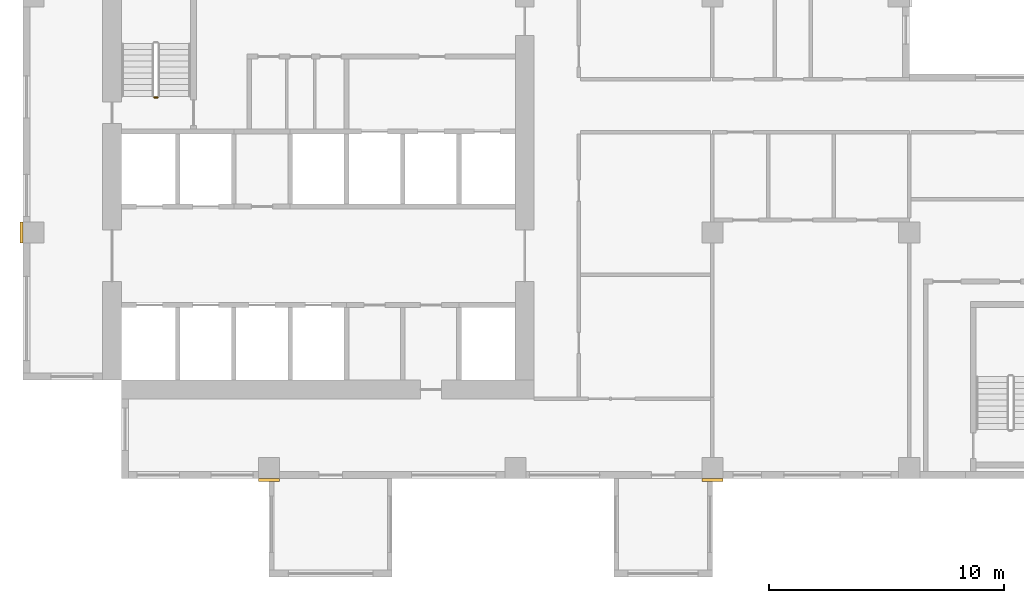
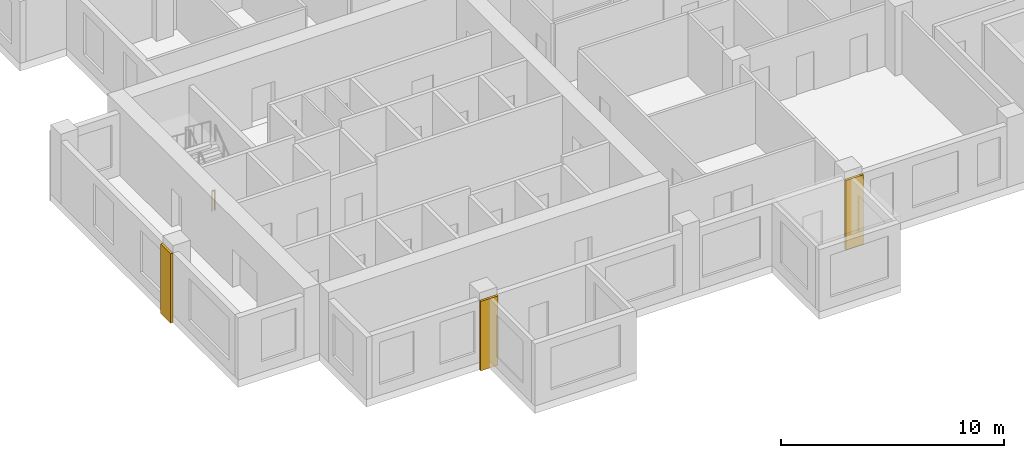
# One storey, part 9 of 12: 3 coverings, 1 railing.
"""IFC4 building model written with IfcOpenShell, lengths in metres."""

from ifc_helpers import new_model, si_unit, direction, frame, origin, origin_2d, place, context, subcontext, project, spatial, rectangle, circle, extrude, source, transform, mapped, material, type_object, element, save


model = new_model("IFC4")

# Units and contexts
model_context = context("Model", 3, precision=1e-05, world=origin(), true_north=direction((0.0, 1.0)))
body_context = subcontext(model_context, "Body", "Model", "MODEL_VIEW")
ifc_project = project(units=[si_unit("LENGTHUNIT", "METRE"), si_unit("AREAUNIT", "SQUARE_METRE"), si_unit("VOLUMEUNIT", "CUBIC_METRE"), si_unit("PLANEANGLEUNIT", "RADIAN"), si_unit("MASSUNIT", "GRAM", prefix="KILO")], contexts=[model_context])

# Site, building, storey
site_placement = place(None, origin())
site = spatial("IfcSite", under=ifc_project, at=site_placement, CompositionType="ELEMENT")
building_placement = place(site_placement, origin())
building = spatial("IfcBuilding", under=site, at=building_placement, Name="Aurelian Terraces", CompositionType="ELEMENT")
storey_placement = place(building_placement, frame((0.0, 0.0, 196.8)))
storey = spatial("IfcBuildingStorey", under=building, at=storey_placement, Name="L43", CompositionType="ELEMENT", Elevation=196.8)

# Coverings
ifc_material_1 = material(Name="Terracotta rainscreen cladding relief", Category="masonry")
covering_type = type_object("IfcCoveringType", Name="BAGUETTE-TC", PredefinedType="CLADDING", material=ifc_material_1)
shared_shape_1 = source(origin(), body_context, "Body", "SweptSolid", [
    extrude(rectangle(XDim=0.9, YDim=0.12, at=origin_2d()), origin(), (0.0, 0.0, 1.0), 3.8),
])
for number, where, z_axis, x_axis, name in (
    (1, (10.5, -0.06, -0.4), (0.0, 0.0, 1.0), (1.0, 0.0, 0.0), "BAGUETTE pier L43 1"),
    (2, (29.4, -0.06, -0.4), (0.0, 0.0, 1.0), (1.0, 0.0, 0.0), "BAGUETTE pier L43 2"),
):
    element("IfcCovering", number, at=place(storey_placement, frame(where, z_axis=z_axis, x_axis=x_axis)), inside=storey, type_object=covering_type, Name=name, PredefinedType="CLADDING", context=body_context, shape_type="MappedRepresentation", body=[
        mapped(shared_shape_1, transform((0.0, 0.0, 0.0), scale=1.0)),
    ])
shared_shape_2 = source(origin(), body_context, "Body", "SweptSolid", [
    extrude(rectangle(XDim=0.12, YDim=0.9, at=origin_2d()), origin(), (0.0, 0.0, 1.0), 3.8),
])
covering_placement = place(storey_placement, frame((-0.06, 10.5, -0.4), z_axis=(0.0, 0.0, 1.0), x_axis=(1.0, 0.0, 0.0)))
element("IfcCovering", 3, at=covering_placement, inside=storey, type_object=covering_type, Name="BAGUETTE pier L43 4", PredefinedType="CLADDING", context=body_context, shape_type="MappedRepresentation", body=[
    mapped(shared_shape_2, transform((0.0, 0.0, 0.0), scale=1.0)),
])

# Railing
ifc_material_2 = material(Name="Stainless steel", Category="steel")
railing_type = type_object("IfcRailingType", Name="Stair guard 1100", PredefinedType="GUARDRAIL", material=ifc_material_2)
shared_shape_3 = source(origin(), body_context, "Body", "SweptSolid", [
    extrude(circle(Radius=0.024, at=origin_2d()), frame((0.0, 0.0, 1.076), z_axis=(-1.0, 0.0, 0.0), x_axis=(0.0, -1.0, 0.0)), (0.0, 0.0, 1.0), 0.15),
    extrude(circle(Radius=0.021, at=origin_2d()), origin(), (0.0, 0.0, 1.0), 1.052),
    extrude(circle(Radius=0.021, at=origin_2d()), frame((-0.15, 0.0, 0.0)), (0.0, 0.0, 1.0), 1.052),
])
railing_placement = place(storey_placement, frame((5.75, 16.25, 0.0)))
element("IfcRailing", 4, at=railing_placement, inside=storey, type_object=railing_type, Name="L43 S1 stair guard 4", PredefinedType="GUARDRAIL", context=body_context, shape_type="MappedRepresentation", body=[
    mapped(shared_shape_3, transform((0.0, 0.0, 0.0), scale=1.0)),
])

save(model, "model.ifc")
